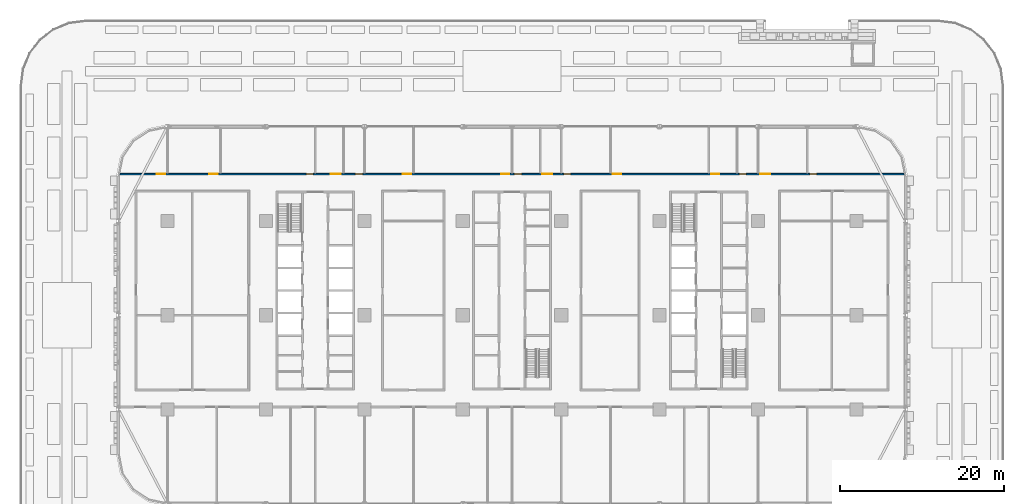
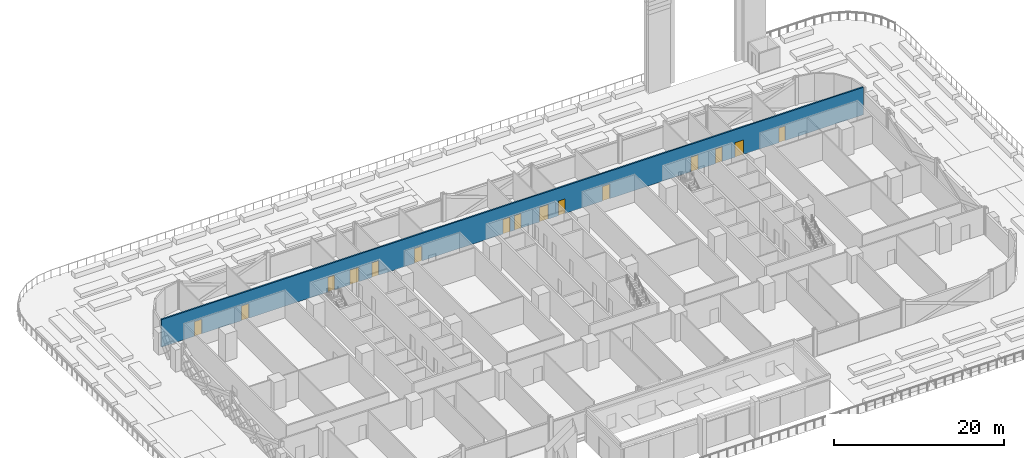
# One storey, part 15 of 39: 15 doors, 1 wall, 15 openings.
"""IFC4 building model written with IfcOpenShell, lengths in metres."""

from ifc_helpers import new_model, si_unit, direction, frame, frame_2d, origin, place, context, subcontext, project, spatial, rectangle, extrude, material, layer, layer_set, type_object, element, fill, save


model = new_model("IFC4")

# Units and contexts
model_context = context("Model", 3, precision=1e-05, world=origin(), true_north=direction((0.0, 1.0)))
body_context = subcontext(model_context, "Body", "Model", "MODEL_VIEW")
ifc_project = project(units=[si_unit("LENGTHUNIT", "METRE"), si_unit("AREAUNIT", "SQUARE_METRE"), si_unit("VOLUMEUNIT", "CUBIC_METRE"), si_unit("PLANEANGLEUNIT", "RADIAN"), si_unit("MASSUNIT", "GRAM", prefix="KILO")], contexts=[model_context])

# Site, building, storey
site_placement = place(None, origin())
site = spatial("IfcSite", under=ifc_project, at=site_placement, CompositionType="ELEMENT")
building_placement = place(site_placement, origin())
building = spatial("IfcBuilding", under=site, at=building_placement, Name="Mahtab Terrace Research Tower", CompositionType="ELEMENT")
storey_placement = place(building_placement, frame((0.0, 0.0, 7.199951171875)))
storey = spatial("IfcBuildingStorey", under=building, at=storey_placement, Name="L01", CompositionType="ELEMENT", Elevation=7.199951171875)

# Wall, openings, doors
ifc_material_1 = material(Name="Gypsum board corridor wall on steel studs", Category="steel")
ifc_layer = layer(ifc_material_1, 0.199951171875)
ifc_layer_set = layer_set([ifc_layer], Name="WALL CORRIDOR 200")
wall_type = type_object("IfcWallType", Name="WALL CORRIDOR 200", PredefinedType="PARTITIONING", material=ifc_layer_set)
wall_placement = place(storey_placement, frame((-47.807373046875, 17.199951171875, 0.0), z_axis=(0.0, 0.0, 1.0), x_axis=(1.0, 0.0, 0.0)))
wall = element("IfcWall", 1, at=wall_placement, inside=storey, type_object=wall_type, Name="L01-W027", PredefinedType="PARTITIONING", context=body_context, shape_type="SweptSolid", body=[
    extrude(rectangle(XDim=95.61474609375, YDim=0.199951171875, at=frame_2d((47.807373046875, 0.0))), origin(), (0.0, 0.0, 1.0), 3.9599609375),
])
opening_1_placement = place(wall_placement, frame((4.5, 0.0, 0.0)))
opening_1 = element("IfcOpeningElement", 2, at=opening_1_placement, cuts=wall, Name="Opening L01-131", PredefinedType="OPENING", context=body_context, shape_type="SweptSolid", body=[
    extrude(rectangle(XDim=1.0, YDim=2.10009765625, at=frame_2d((0.5, 1.050048828125))), frame((0.0, 0.10986328125, 0.0), z_axis=(0.0, -1.0, 0.0), x_axis=(1.0, 0.0, 0.0)), (0.0, 0.0, 1.0), 0.219970703125),
])
opening_2_placement = place(wall_placement, frame((10.89990234375, 0.0, 0.0)))
opening_2 = element("IfcOpeningElement", 3, at=opening_2_placement, cuts=wall, Name="Opening L01-132", PredefinedType="OPENING", context=body_context, shape_type="SweptSolid", body=[
    extrude(rectangle(XDim=1.0, YDim=2.10009765625, at=frame_2d((0.5, 1.050048828125))), frame((0.0, 0.10986328125, 0.0), z_axis=(0.0, -1.0, 0.0), x_axis=(1.0, 0.0, 0.0)), (0.0, 0.0, 1.0), 0.219970703125),
])
opening_3_placement = place(wall_placement, frame((22.699951171875, 0.0, 0.0)))
opening_3 = element("IfcOpeningElement", 4, at=opening_3_placement, cuts=wall, Name="Opening L01-133", PredefinedType="OPENING", context=body_context, shape_type="SweptSolid", body=[
    extrude(rectangle(XDim=0.89990234375, YDim=2.10009765625, at=frame_2d((0.449951171875, 1.050048828125))), frame((0.0, 0.10986328125, 0.0), z_axis=(0.0, -1.0, 0.0), x_axis=(1.0, 0.0, 0.0)), (0.0, 0.0, 1.0), 0.219970703125),
])
opening_4_placement = place(wall_placement, frame((25.699951171875, 0.0, 0.0)))
opening_4 = element("IfcOpeningElement", 5, at=opening_4_placement, cuts=wall, Name="Opening L01-134", PredefinedType="OPENING", context=body_context, shape_type="SweptSolid", body=[
    extrude(rectangle(XDim=1.199951171875, YDim=2.10009765625, at=frame_2d((0.60009765625, 1.050048828125))), frame((0.0, 0.10986328125, 0.0), z_axis=(0.0, -1.0, 0.0), x_axis=(1.0, 0.0, 0.0)), (0.0, 0.0, 1.0), 0.219970703125),
])
opening_5_placement = place(wall_placement, frame((28.699951171875, 0.0, 0.0)))
opening_5 = element("IfcOpeningElement", 6, at=opening_5_placement, cuts=wall, Name="Opening L01-135", PredefinedType="OPENING", context=body_context, shape_type="SweptSolid", body=[
    extrude(rectangle(XDim=0.89990234375, YDim=2.10009765625, at=frame_2d((0.449951171875, 1.050048828125))), frame((0.0, 0.10986328125, 0.0), z_axis=(0.0, -1.0, 0.0), x_axis=(1.0, 0.0, 0.0)), (0.0, 0.0, 1.0), 0.219970703125),
])
opening_6_placement = place(wall_placement, frame((34.5, 0.0, 0.0)))
opening_6 = element("IfcOpeningElement", 7, at=opening_6_placement, cuts=wall, Name="Opening L01-136", PredefinedType="OPENING", context=body_context, shape_type="SweptSolid", body=[
    extrude(rectangle(XDim=1.0, YDim=2.10009765625, at=frame_2d((0.5, 1.050048828125))), frame((0.0, 0.10986328125, 0.0), z_axis=(0.0, -1.0, 0.0), x_axis=(1.0, 0.0, 0.0)), (0.0, 0.0, 1.0), 0.219970703125),
])
opening_7_placement = place(wall_placement, frame((46.5, 0.0, 0.0)))
opening_7 = element("IfcOpeningElement", 8, at=opening_7_placement, cuts=wall, Name="Opening L01-137", PredefinedType="OPENING", context=body_context, shape_type="SweptSolid", body=[
    extrude(rectangle(XDim=1.0, YDim=2.10009765625, at=frame_2d((0.5, 1.050048828125))), frame((0.0, 0.10986328125, 0.0), z_axis=(0.0, -1.0, 0.0), x_axis=(1.0, 0.0, 0.0)), (0.0, 0.0, 1.0), 0.219970703125),
])
opening_8_placement = place(wall_placement, frame((48.10009765625, 0.0, 0.0)))
opening_8 = element("IfcOpeningElement", 9, at=opening_8_placement, cuts=wall, Name="Opening L01-138", PredefinedType="OPENING", context=body_context, shape_type="SweptSolid", body=[
    extrude(rectangle(XDim=0.89990234375, YDim=2.10009765625, at=frame_2d((0.449951171875, 1.050048828125))), frame((0.0, 0.10986328125, 0.0), z_axis=(0.0, -1.0, 0.0), x_axis=(1.0, 0.0, 0.0)), (0.0, 0.0, 1.0), 0.219970703125),
])
opening_9_placement = place(wall_placement, frame((51.5, 0.0, 0.0)))
opening_9 = element("IfcOpeningElement", 10, at=opening_9_placement, cuts=wall, Name="Opening L01-139", PredefinedType="OPENING", context=body_context, shape_type="SweptSolid", body=[
    extrude(rectangle(XDim=1.199951171875, YDim=2.10009765625, at=frame_2d((0.60009765625, 1.050048828125))), frame((0.0, 0.10986328125, 0.0), z_axis=(0.0, -1.0, 0.0), x_axis=(1.0, 0.0, 0.0)), (0.0, 0.0, 1.0), 0.219970703125),
])
opening_10_placement = place(wall_placement, frame((54.10009765625, 0.0, 0.0)))
opening_10 = element("IfcOpeningElement", 11, at=opening_10_placement, cuts=wall, Name="Opening L01-140", PredefinedType="OPENING", context=body_context, shape_type="SweptSolid", body=[
    extrude(rectangle(XDim=0.89990234375, YDim=2.10009765625, at=frame_2d((0.449951171875, 1.050048828125))), frame((0.0, 0.10986328125, 0.0), z_axis=(0.0, -1.0, 0.0), x_axis=(1.0, 0.0, 0.0)), (0.0, 0.0, 1.0), 0.219970703125),
])
opening_11_placement = place(wall_placement, frame((60.10009765625, 0.0, 0.0)))
opening_11 = element("IfcOpeningElement", 12, at=opening_11_placement, cuts=wall, Name="Opening L01-141", PredefinedType="OPENING", context=body_context, shape_type="SweptSolid", body=[
    extrude(rectangle(XDim=1.0, YDim=2.10009765625, at=frame_2d((0.5, 1.050048828125))), frame((0.0, 0.10986328125, 0.0), z_axis=(0.0, -1.0, 0.0), x_axis=(1.0, 0.0, 0.0)), (0.0, 0.0, 1.0), 0.219970703125),
])
opening_12_placement = place(wall_placement, frame((72.10009765625, 0.0, 0.0)))
opening_12 = element("IfcOpeningElement", 13, at=opening_12_placement, cuts=wall, Name="Opening L01-142", PredefinedType="OPENING", context=body_context, shape_type="SweptSolid", body=[
    extrude(rectangle(XDim=1.0, YDim=2.10009765625, at=frame_2d((0.5, 1.050048828125))), frame((0.0, 0.10986328125, 0.0), z_axis=(0.0, -1.0, 0.0), x_axis=(1.0, 0.0, 0.0)), (0.0, 0.0, 1.0), 0.219970703125),
])
opening_13_placement = place(wall_placement, frame((75.5, 0.0, 0.0)))
opening_13 = element("IfcOpeningElement", 14, at=opening_13_placement, cuts=wall, Name="Opening L01-143", PredefinedType="OPENING", context=body_context, shape_type="SweptSolid", body=[
    extrude(rectangle(XDim=0.89990234375, YDim=2.10009765625, at=frame_2d((0.449951171875, 1.050048828125))), frame((0.0, 0.10986328125, 0.0), z_axis=(0.0, -1.0, 0.0), x_axis=(1.0, 0.0, 0.0)), (0.0, 0.0, 1.0), 0.219970703125),
])
opening_14_placement = place(wall_placement, frame((78.10009765625, 0.0, 0.0)))
opening_14 = element("IfcOpeningElement", 15, at=opening_14_placement, cuts=wall, Name="Opening L01-144", PredefinedType="OPENING", context=body_context, shape_type="SweptSolid", body=[
    extrude(rectangle(XDim=1.199951171875, YDim=2.10009765625, at=frame_2d((0.60009765625, 1.050048828125))), frame((0.0, 0.10986328125, 0.0), z_axis=(0.0, -1.0, 0.0), x_axis=(1.0, 0.0, 0.0)), (0.0, 0.0, 1.0), 0.219970703125),
])
opening_15_placement = place(wall_placement, frame((84.10009765625, 0.0, 0.0)))
opening_15 = element("IfcOpeningElement", 16, at=opening_15_placement, cuts=wall, Name="Opening L01-145", PredefinedType="OPENING", context=body_context, shape_type="SweptSolid", body=[
    extrude(rectangle(XDim=0.89990234375, YDim=2.10009765625, at=frame_2d((0.449951171875, 1.050048828125))), frame((0.0, 0.10986328125, 0.0), z_axis=(0.0, -1.0, 0.0), x_axis=(1.0, 0.0, 0.0)), (0.0, 0.0, 1.0), 0.219970703125),
])
ifc_material_2 = material(Name="Timber door leaf in steel frame", Category="steel")
door_type_1 = type_object("IfcDoorType", Name="DOOR 0900X2100 FD30S", OperationType="SINGLE_SWING_LEFT", PredefinedType="DOOR", material=ifc_material_2)
door_1_placement = place(opening_3_placement, origin())
door_1 = element("IfcDoor", 17, at=door_1_placement, inside=storey, type_object=door_type_1, Name="Door L01-133", OperationType="SINGLE_SWING_LEFT", OverallHeight=2.10009765625, OverallWidth=0.89990234375, PredefinedType="DOOR", context=body_context, shape_type="SweptSolid", body=[
    extrude(rectangle(XDim=0.89990234375, YDim=2.10009765625, at=frame_2d((0.449951171875, 1.050048828125))), frame((0.0, 0.02490234375, 0.0), z_axis=(0.0, -1.0, 0.0), x_axis=(1.0, 0.0, 0.0)), (0.0, 0.0, 1.0), 0.050048828125),
])
fill(opening_3, door_1)
door_2_placement = place(opening_5_placement, origin())
door_2 = element("IfcDoor", 18, at=door_2_placement, inside=storey, type_object=door_type_1, Name="Door L01-135", OperationType="SINGLE_SWING_LEFT", OverallHeight=2.10009765625, OverallWidth=0.89990234375, PredefinedType="DOOR", context=body_context, shape_type="SweptSolid", body=[
    extrude(rectangle(XDim=0.89990234375, YDim=2.10009765625, at=frame_2d((0.449951171875, 1.050048828125))), frame((0.0, 0.02490234375, 0.0), z_axis=(0.0, -1.0, 0.0), x_axis=(1.0, 0.0, 0.0)), (0.0, 0.0, 1.0), 0.050048828125),
])
fill(opening_5, door_2)
door_3_placement = place(opening_8_placement, origin())
door_3 = element("IfcDoor", 19, at=door_3_placement, inside=storey, type_object=door_type_1, Name="Door L01-138", OperationType="SINGLE_SWING_RIGHT", OverallHeight=2.10009765625, OverallWidth=0.89990234375, PredefinedType="DOOR", context=body_context, shape_type="SweptSolid", body=[
    extrude(rectangle(XDim=0.89990234375, YDim=2.10009765625, at=frame_2d((0.449951171875, 1.050048828125))), frame((0.0, 0.02490234375, 0.0), z_axis=(0.0, -1.0, 0.0), x_axis=(1.0, 0.0, 0.0)), (0.0, 0.0, 1.0), 0.050048828125),
])
fill(opening_8, door_3)
door_4_placement = place(opening_10_placement, origin())
door_4 = element("IfcDoor", 20, at=door_4_placement, inside=storey, type_object=door_type_1, Name="Door L01-140", OperationType="SINGLE_SWING_RIGHT", OverallHeight=2.10009765625, OverallWidth=0.89990234375, PredefinedType="DOOR", context=body_context, shape_type="SweptSolid", body=[
    extrude(rectangle(XDim=0.89990234375, YDim=2.10009765625, at=frame_2d((0.449951171875, 1.050048828125))), frame((0.0, 0.02490234375, 0.0), z_axis=(0.0, -1.0, 0.0), x_axis=(1.0, 0.0, 0.0)), (0.0, 0.0, 1.0), 0.050048828125),
])
fill(opening_10, door_4)
door_5_placement = place(opening_13_placement, origin())
door_5 = element("IfcDoor", 21, at=door_5_placement, inside=storey, type_object=door_type_1, Name="Door L01-143", OperationType="SINGLE_SWING_RIGHT", OverallHeight=2.10009765625, OverallWidth=0.89990234375, PredefinedType="DOOR", context=body_context, shape_type="SweptSolid", body=[
    extrude(rectangle(XDim=0.89990234375, YDim=2.10009765625, at=frame_2d((0.449951171875, 1.050048828125))), frame((0.0, 0.02490234375, 0.0), z_axis=(0.0, -1.0, 0.0), x_axis=(1.0, 0.0, 0.0)), (0.0, 0.0, 1.0), 0.050048828125),
])
fill(opening_13, door_5)
door_6_placement = place(opening_15_placement, origin())
door_6 = element("IfcDoor", 22, at=door_6_placement, inside=storey, type_object=door_type_1, Name="Door L01-145", OperationType="SINGLE_SWING_RIGHT", OverallHeight=2.10009765625, OverallWidth=0.89990234375, PredefinedType="DOOR", context=body_context, shape_type="SweptSolid", body=[
    extrude(rectangle(XDim=0.89990234375, YDim=2.10009765625, at=frame_2d((0.449951171875, 1.050048828125))), frame((0.0, 0.02490234375, 0.0), z_axis=(0.0, -1.0, 0.0), x_axis=(1.0, 0.0, 0.0)), (0.0, 0.0, 1.0), 0.050048828125),
])
fill(opening_15, door_6)
door_type_2 = type_object("IfcDoorType", Name="DOOR 1000X2100 FD30S", OperationType="SINGLE_SWING_LEFT", PredefinedType="DOOR", material=ifc_material_2)
door_7_placement = place(opening_1_placement, origin())
door_7 = element("IfcDoor", 23, at=door_7_placement, inside=storey, type_object=door_type_2, Name="Door L01-131", OperationType="SINGLE_SWING_LEFT", OverallHeight=2.10009765625, OverallWidth=1.0, PredefinedType="DOOR", context=body_context, shape_type="SweptSolid", body=[
    extrude(rectangle(XDim=1.0, YDim=2.10009765625, at=frame_2d((0.5, 1.050048828125))), frame((0.0, 0.02490234375, 0.0), z_axis=(0.0, -1.0, 0.0), x_axis=(1.0, 0.0, 0.0)), (0.0, 0.0, 1.0), 0.050048828125),
])
fill(opening_1, door_7)
door_8_placement = place(opening_2_placement, origin())
door_8 = element("IfcDoor", 24, at=door_8_placement, inside=storey, type_object=door_type_2, Name="Door L01-132", OperationType="SINGLE_SWING_LEFT", OverallHeight=2.10009765625, OverallWidth=1.0, PredefinedType="DOOR", context=body_context, shape_type="SweptSolid", body=[
    extrude(rectangle(XDim=1.0, YDim=2.10009765625, at=frame_2d((0.5, 1.050048828125))), frame((0.0, 0.02490234375, 0.0), z_axis=(0.0, -1.0, 0.0), x_axis=(1.0, 0.0, 0.0)), (0.0, 0.0, 1.0), 0.050048828125),
])
fill(opening_2, door_8)
door_9_placement = place(opening_6_placement, origin())
door_9 = element("IfcDoor", 25, at=door_9_placement, inside=storey, type_object=door_type_2, Name="Door L01-136", OperationType="SINGLE_SWING_LEFT", OverallHeight=2.10009765625, OverallWidth=1.0, PredefinedType="DOOR", context=body_context, shape_type="SweptSolid", body=[
    extrude(rectangle(XDim=1.0, YDim=2.10009765625, at=frame_2d((0.5, 1.050048828125))), frame((0.0, 0.02490234375, 0.0), z_axis=(0.0, -1.0, 0.0), x_axis=(1.0, 0.0, 0.0)), (0.0, 0.0, 1.0), 0.050048828125),
])
fill(opening_6, door_9)
door_10_placement = place(opening_7_placement, origin())
door_10 = element("IfcDoor", 26, at=door_10_placement, inside=storey, type_object=door_type_2, Name="Door L01-137", OperationType="SINGLE_SWING_LEFT", OverallHeight=2.10009765625, OverallWidth=1.0, PredefinedType="DOOR", context=body_context, shape_type="SweptSolid", body=[
    extrude(rectangle(XDim=1.0, YDim=2.10009765625, at=frame_2d((0.5, 1.050048828125))), frame((0.0, 0.02490234375, 0.0), z_axis=(0.0, -1.0, 0.0), x_axis=(1.0, 0.0, 0.0)), (0.0, 0.0, 1.0), 0.050048828125),
])
fill(opening_7, door_10)
door_11_placement = place(opening_11_placement, origin())
door_11 = element("IfcDoor", 27, at=door_11_placement, inside=storey, type_object=door_type_2, Name="Door L01-141", OperationType="SINGLE_SWING_RIGHT", OverallHeight=2.10009765625, OverallWidth=1.0, PredefinedType="DOOR", context=body_context, shape_type="SweptSolid", body=[
    extrude(rectangle(XDim=1.0, YDim=2.10009765625, at=frame_2d((0.5, 1.050048828125))), frame((0.0, 0.02490234375, 0.0), z_axis=(0.0, -1.0, 0.0), x_axis=(1.0, 0.0, 0.0)), (0.0, 0.0, 1.0), 0.050048828125),
])
fill(opening_11, door_11)
door_12_placement = place(opening_12_placement, origin())
door_12 = element("IfcDoor", 28, at=door_12_placement, inside=storey, type_object=door_type_2, Name="Door L01-142", OperationType="SINGLE_SWING_RIGHT", OverallHeight=2.10009765625, OverallWidth=1.0, PredefinedType="DOOR", context=body_context, shape_type="SweptSolid", body=[
    extrude(rectangle(XDim=1.0, YDim=2.10009765625, at=frame_2d((0.5, 1.050048828125))), frame((0.0, 0.02490234375, 0.0), z_axis=(0.0, -1.0, 0.0), x_axis=(1.0, 0.0, 0.0)), (0.0, 0.0, 1.0), 0.050048828125),
])
fill(opening_12, door_12)
door_type_3 = type_object("IfcDoorType", Name="DOOR 1200X2100 FD30S", OperationType="SINGLE_SWING_LEFT", PredefinedType="DOOR", material=ifc_material_2)
door_13_placement = place(opening_4_placement, origin())
door_13 = element("IfcDoor", 29, at=door_13_placement, inside=storey, type_object=door_type_3, Name="Door L01-134", OperationType="SINGLE_SWING_LEFT", OverallHeight=2.10009765625, OverallWidth=1.199951171875, PredefinedType="DOOR", context=body_context, shape_type="SweptSolid", body=[
    extrude(rectangle(XDim=1.199951171875, YDim=2.10009765625, at=frame_2d((0.60009765625, 1.050048828125))), frame((0.0, 0.02490234375, 0.0), z_axis=(0.0, -1.0, 0.0), x_axis=(1.0, 0.0, 0.0)), (0.0, 0.0, 1.0), 0.050048828125),
])
fill(opening_4, door_13)
door_14_placement = place(opening_9_placement, origin())
door_14 = element("IfcDoor", 30, at=door_14_placement, inside=storey, type_object=door_type_3, Name="Door L01-139", OperationType="SINGLE_SWING_RIGHT", OverallHeight=2.10009765625, OverallWidth=1.199951171875, PredefinedType="DOOR", context=body_context, shape_type="SweptSolid", body=[
    extrude(rectangle(XDim=1.199951171875, YDim=2.10009765625, at=frame_2d((0.60009765625, 1.050048828125))), frame((0.0, 0.02490234375, 0.0), z_axis=(0.0, -1.0, 0.0), x_axis=(1.0, 0.0, 0.0)), (0.0, 0.0, 1.0), 0.050048828125),
])
fill(opening_9, door_14)
door_15_placement = place(opening_14_placement, origin())
door_15 = element("IfcDoor", 31, at=door_15_placement, inside=storey, type_object=door_type_3, Name="Door L01-144", OperationType="SINGLE_SWING_RIGHT", OverallHeight=2.10009765625, OverallWidth=1.199951171875, PredefinedType="DOOR", context=body_context, shape_type="SweptSolid", body=[
    extrude(rectangle(XDim=1.199951171875, YDim=2.10009765625, at=frame_2d((0.60009765625, 1.050048828125))), frame((0.0, 0.02490234375, 0.0), z_axis=(0.0, -1.0, 0.0), x_axis=(1.0, 0.0, 0.0)), (0.0, 0.0, 1.0), 0.050048828125),
])
fill(opening_14, door_15)

save(model, "model.ifc")
